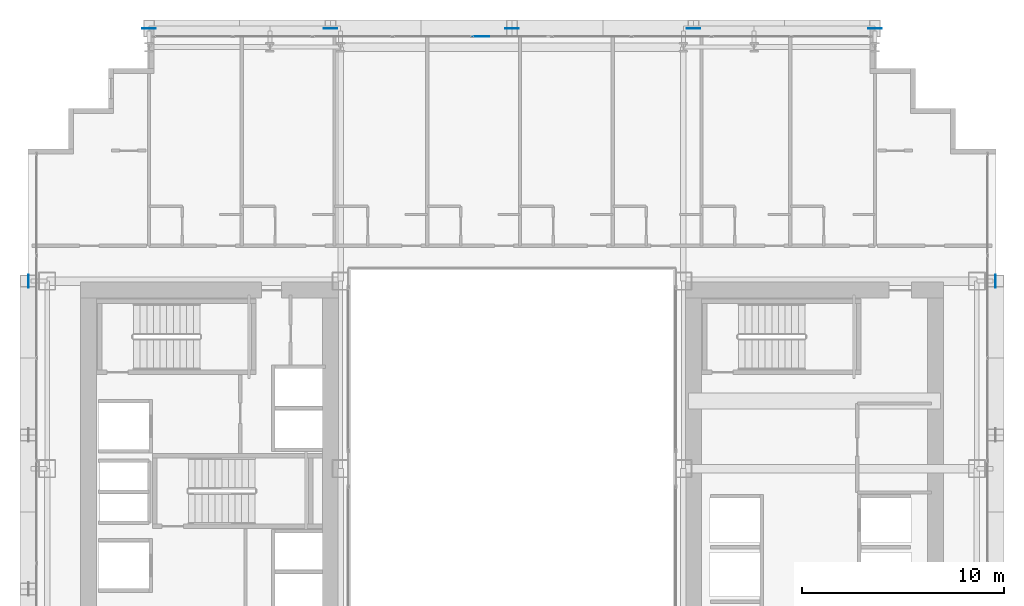
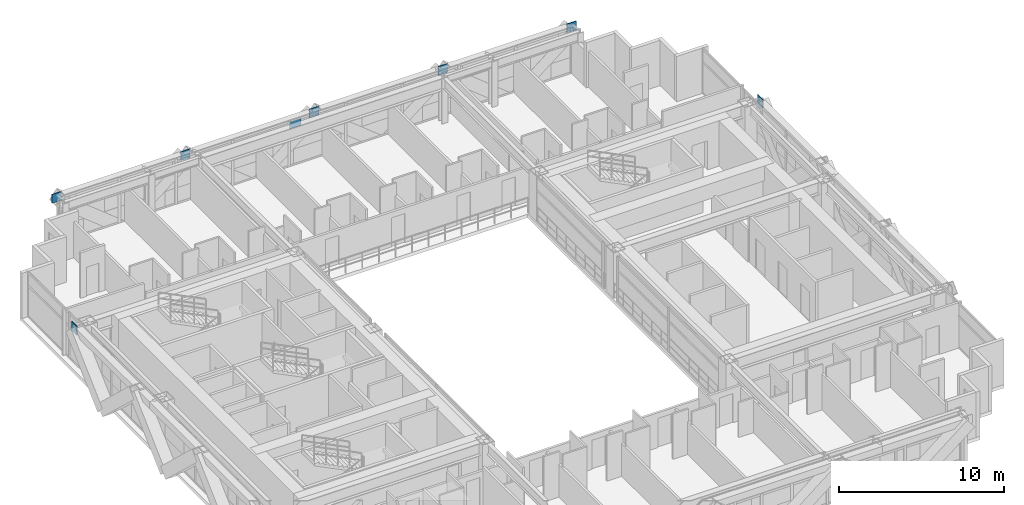
# One storey, part 32 of 41: 8 plates, 1 element without a shape of its own.
"""IFC4 building model written with IfcOpenShell, lengths in metres."""

from ifc_helpers import new_model, si_unit, direction, frame, origin, origin_2d, place, context, subcontext, project, spatial, rectangle, extrude, source, transform, mapped, material, layer, layer_set, type_object, element, aggregate, save


model = new_model("IFC4")

# Units and contexts
model_context = context("Model", 3, precision=1e-05, world=origin(), true_north=direction((0.0, 1.0)))
body_context = subcontext(model_context, "Body", "Model", "MODEL_VIEW")
ifc_project = project(units=[si_unit("LENGTHUNIT", "METRE"), si_unit("AREAUNIT", "SQUARE_METRE"), si_unit("VOLUMEUNIT", "CUBIC_METRE"), si_unit("PLANEANGLEUNIT", "RADIAN"), si_unit("MASSUNIT", "GRAM", prefix="KILO")], contexts=[model_context])

# Site, building, storey
site_placement = place(None, origin())
site = spatial("IfcSite", under=ifc_project, at=site_placement, CompositionType="ELEMENT")
building_placement = place(site_placement, origin())
building = spatial("IfcBuilding", under=site, at=building_placement, Name="Ocotamira Hotel", CompositionType="ELEMENT")
storey_placement = place(building_placement, frame((0.0, 0.0, 38.39990234375)))
storey = spatial("IfcBuildingStorey", under=building, at=storey_placement, Name="L08", CompositionType="ELEMENT", Elevation=38.39990234375)

# Plates
ifc_material_1 = material(Name="Pale-metal coated steel ASTM A572 Grade 50", Category="steel")
ifc_layer_1 = layer(ifc_material_1, 0.0400390625)
ifc_layer_set_1 = layer_set([ifc_layer_1], Name="Pale-metal coated steel ASTM A572 Grade 50")
plate_type_1 = type_object("IfcPlateType", Name="PLT-GUSSET-40", PredefinedType="SHEET", material=ifc_layer_set_1)
shared_shape_1 = source(origin(), body_context, "Body", "SweptSolid", [
    extrude(rectangle(XDim=0.64990234375, YDim=0.0400390625, at=origin_2d()), origin(), (0.0, 0.0, 1.0), 0.64990234375),
])
for number, where, z_axis, x_axis, name in (
    (1, (14.0, 49.969970703125, 2.775146484375), (0.0, 0.0, 1.0), (-1.0, 0.0, 0.0), "L08 Exoskeleton Diagrid N0.1 End Gusset B"),
    (2, (23.0, 49.969970703125, 2.775146484375), (0.0, 0.0, 1.0), (1.0, 0.0, 0.0), "L08 Exoskeleton Diagrid N0.2 End Gusset B"),
    (3, (32.0, 49.969970703125, 2.775146484375), (0.0, 0.0, 1.0), (1.0, 0.0, 0.0), "L08 Exoskeleton Diagrid N1.2 End Gusset B"),
    (4, (41.0, 49.969970703125, 2.775146484375), (0.0, 0.0, 1.0), (1.0, 0.0, 0.0), "L08 Exoskeleton Diagrid N2.2 End Gusset B"),
    (5, (50.0, 49.969970703125, 2.775146484375), (0.0, 0.0, 1.0), (1.0, 0.0, 0.0), "L08 Exoskeleton Diagrid N3.2 End Gusset B"),
):
    element("IfcPlate", number, at=place(storey_placement, frame(where, z_axis=z_axis, x_axis=x_axis)), inside=storey, type_object=plate_type_1, Name=name, PredefinedType="SHEET", context=body_context, shape_type="MappedRepresentation", body=[
        mapped(shared_shape_1, transform((0.0, 0.0, 0.0), scale=1.0)),
    ])
shared_shape_2 = source(origin(), body_context, "Body", "SweptSolid", [
    extrude(rectangle(XDim=0.0400390625, YDim=0.64990234375, at=origin_2d()), origin(), (0.0, 0.0, 1.0), 0.64990234375),
])
for number, where, z_axis, x_axis, name in (
    (6, (8.030029296875, 37.449951171875, 2.775146484375), (0.0, 0.0, 1.0), (1.0, 0.0, 0.0), "L08 Exoskeleton Diagrid W2.2 End Gusset B"),
    (7, (55.969970703125, 37.449951171875, 2.775146484375), (0.0, 0.0, 1.0), (1.0, 0.0, 0.0), "L08 Exoskeleton Diagrid E2.2 End Gusset B"),
):
    element("IfcPlate", number, at=place(storey_placement, frame(where, z_axis=z_axis, x_axis=x_axis)), inside=storey, type_object=plate_type_1, Name=name, PredefinedType="SHEET", context=body_context, shape_type="MappedRepresentation", body=[
        mapped(shared_shape_2, transform((0.0, 0.0, 0.0), scale=1.0)),
    ])

# Curtain wall, plate
ifc_material_2 = material(Name="Anodised pale-metal aluminium and solar glass", Category="aluminium")
ifc_layer_2 = layer(ifc_material_2, 0.179931640625)
ifc_layer_set_2 = layer_set([ifc_layer_2], Name="Anodised pale-metal aluminium and solar glass")
curtain_wall_type = type_object("IfcCurtainWallType", Name="CW-SYS2-Z1", PredefinedType="NOTDEFINED", material=ifc_layer_set_2)
curtain_wall_placement = place(storey_placement, origin())
curtain_wall = element("IfcCurtainWall", 8, at=curtain_wall_placement, inside=storey, type_object=curtain_wall_type, Name="L08 Curtain Wall CW-2 CW-L08-N", PredefinedType="NOTDEFINED")
ifc_material_3 = material(Name="Double-silver low-E insulated solar glass", Category="glass")
ifc_layer_3 = layer(ifc_material_3, 0.031982421875)
ifc_layer_set_3 = layer_set([ifc_layer_3], Name="Double-silver low-E insulated solar glass")
plate_type_2 = type_object("IfcPlateType", Name="CWP-VISION-32", PredefinedType="CURTAIN_PANEL", material=ifc_layer_set_3)
shared_shape_3 = source(origin(), body_context, "Body", "SweptSolid", [
    extrude(rectangle(XDim=0.797607421875, YDim=0.031982421875, at=origin_2d()), origin(), (0.0, 0.0, 1.0), 0.5107421875),
])
plate_placement = place(storey_placement, frame((30.461181640625, 49.580078125, 2.764404296875), z_axis=(0.0, 0.0, 1.0), x_axis=(1.0, 0.0, 0.0)))
plate = element("IfcPlate", 9, at=plate_placement, type_object=plate_type_2, Name="CW-2 panel 5.2.1", PredefinedType="CURTAIN_PANEL", context=body_context, shape_type="MappedRepresentation", body=[
    mapped(shared_shape_3, transform((0.0, 0.0, 0.0), scale=1.0)),
])
aggregate(curtain_wall, [plate])

save(model, "model.ifc")
